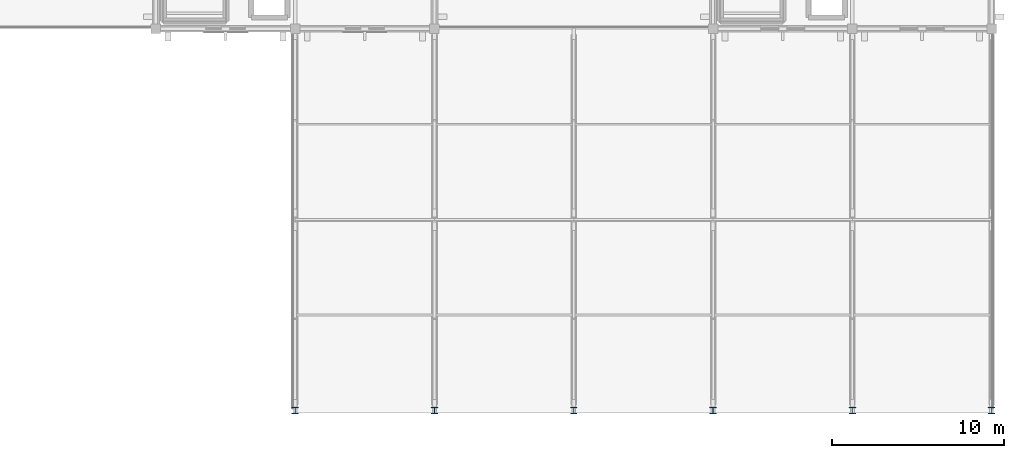
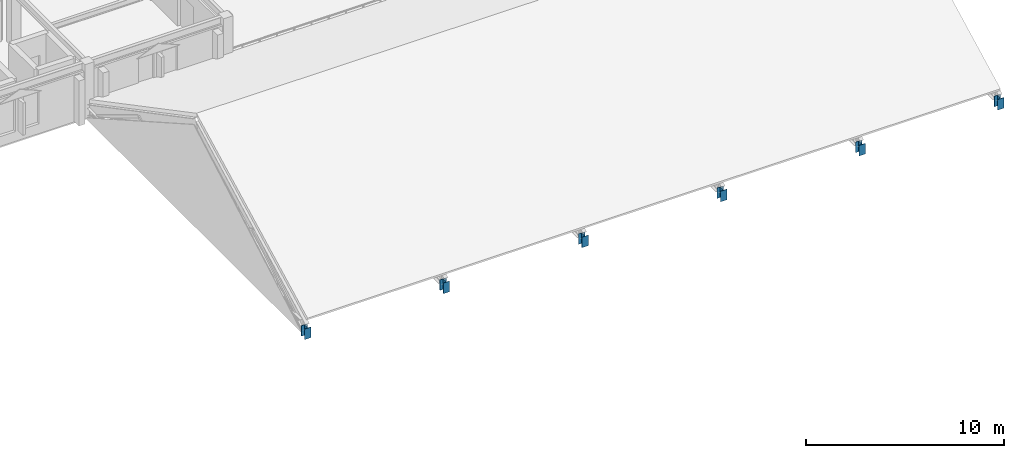
# One storey, part 8 of 121: 6 columns.
"""IFC4 building model written with IfcOpenShell, lengths in metres."""

import ifcopenshell
import ifcopenshell.guid

model = None  # the IFC model being written
_history = None  # IfcOwnerHistory: only IFC2X3 demands one
_inside = {}  # id of a spatial element -> (the spatial element, [elements in it])
_under = {}  # id of a project, library or spatial element -> (it, [spatial elements below it])
_declared = {}  # id of a project -> (the project, [libraries it declares])
_typed = {}  # id of a type object -> (the type object, [elements of that type])
_made_of = {}  # id of a material, layer set ... -> (it, [elements and type objects made of it])


def new_model(schema):
    """Start an empty IFC model of exactly this schema.

    Asked for "IFC4X3", IfcOpenShell would pick the latest addendum, in which some entities
    have other attributes; the version numbers below select the first issue.
    IFC2X3 requires an IfcOwnerHistory on every rooted entity: one is made here for all.
    """
    global model, _history
    if schema == "IFC4X3":
        model = ifcopenshell.file(schema_version=(4, 3, 0, 0))
    else:
        model = ifcopenshell.file(schema=schema)
    _inside.clear()
    _under.clear()
    _declared.clear()
    _typed.clear()
    _made_of.clear()
    _history = None
    if model.schema == "IFC2X3":
        org = make("IfcOrganization", Name="unknown")
        user = make(
            "IfcPersonAndOrganization",
            ThePerson=make("IfcPerson", FamilyName="unknown"),
            TheOrganization=org,
        )
        app = make(
            "IfcApplication",
            ApplicationDeveloper=org,
            Version="unknown",
            ApplicationFullName="unknown",
            ApplicationIdentifier="unknown",
        )
        _history = make(
            "IfcOwnerHistory",
            OwningUser=user,
            OwningApplication=app,
            ChangeAction="ADDED",
            CreationDate=0,
        )
    return model


def make(cls, **values):
    """One entity of the class cls with the attributes given. An attribute that is None is left unset."""
    return model.create_entity(
        cls, **{name: value for name, value in values.items() if value is not None}
    )


def rooted(cls, **values):
    """An entity with a GlobalId (a new one), such as an element, a storey or a relation."""
    return make(cls, GlobalId=ifcopenshell.guid.new(), OwnerHistory=_history, **values)


def si_unit(unit_type, name, prefix=None):
    """IfcSIUnit, for example si_unit("LENGTHUNIT", "METRE", prefix="MILLI")."""
    return make("IfcSIUnit", UnitType=unit_type, Prefix=prefix, Name=name)


def assignment(units):
    """IfcUnitAssignment: the units of a project."""
    return None if units is None else make("IfcUnitAssignment", Units=units)


def point(xyz):
    """IfcCartesianPoint."""
    return None if xyz is None else make("IfcCartesianPoint", Coordinates=xyz)


def direction(xyz):
    """IfcDirection."""
    return None if xyz is None else make("IfcDirection", DirectionRatios=xyz)


def frame(location, z_axis=None, x_axis=None):
    """IfcAxis2Placement3D, a coordinate frame: its origin and axes. An axis left out is left unset."""
    return make(
        "IfcAxis2Placement3D",
        Location=point(location),
        Axis=direction(z_axis),
        RefDirection=direction(x_axis),
    )


def frame_2d(location, x_axis=None):
    """IfcAxis2Placement2D, a coordinate frame in the plane: its origin and x axis."""
    return make(
        "IfcAxis2Placement2D", Location=point(location), RefDirection=direction(x_axis)
    )


def origin():
    """The frame at (0, 0, 0) with its axes left unset."""
    return frame((0.0, 0.0, 0.0))


def origin_2d():
    """The frame at (0, 0) in the plane with its x axis left unset."""
    return frame_2d((0.0, 0.0))


def place(relative_to, where):
    """IfcLocalPlacement: puts the frame where relative to a parent placement (None: the world)."""
    return make(
        "IfcLocalPlacement", PlacementRelTo=relative_to, RelativePlacement=where
    )


def context(
    kind, dimensions, precision=None, world=None, true_north=None, identifier=None
):
    """IfcGeometricRepresentationContext, for example the 3D "Model" context."""
    return make(
        "IfcGeometricRepresentationContext",
        ContextIdentifier=identifier,
        ContextType=kind,
        CoordinateSpaceDimension=dimensions,
        Precision=precision,
        WorldCoordinateSystem=world,
        TrueNorth=true_north,
    )


def subcontext(parent, identifier, kind, view, scale=None):
    """IfcGeometricRepresentationSubContext, for example "Body" below "Model"."""
    return make(
        "IfcGeometricRepresentationSubContext",
        ContextIdentifier=identifier,
        ContextType=kind,
        ParentContext=parent,
        TargetScale=scale,
        TargetView=view,
    )


def project(units=None, contexts=None):
    """IfcProject with its units and contexts."""
    return rooted(
        "IfcProject",
        Name="project",
        RepresentationContexts=contexts,
        UnitsInContext=assignment(units),
    )


def spatial(cls, under=None, at=None, **own):
    """A site, building, storey or space (cls), placed at a placement, below another one or the project."""
    s = rooted(cls, ObjectPlacement=at, **own)
    if under is not None:
        _under.setdefault(under.id(), (under, []))[1].append(s)
    return s


def profile(cls, at=None, kind="AREA", **sizes):
    """A parametric profile (cls). Its sizes go by their IFC names, for example OverallWidth=200.0."""
    return make(cls, ProfileType=kind, Position=at, **sizes)


def i_section(**sizes):
    """IfcIShapeProfileDef."""
    return profile("IfcIShapeProfileDef", **sizes)


def extrude(swept, where, along, depth):
    """IfcExtrudedAreaSolid: the profile swept, set in the frame where, extruded along a direction by depth."""
    return make(
        "IfcExtrudedAreaSolid",
        SweptArea=swept,
        Position=where,
        ExtrudedDirection=direction(along),
        Depth=depth,
    )


def shape(context_of_items, identifier, shape_type, items):
    """IfcShapeRepresentation: the items that make up one representation, for example the "Body"."""
    return make(
        "IfcShapeRepresentation",
        ContextOfItems=context_of_items,
        RepresentationIdentifier=identifier,
        RepresentationType=shape_type,
        Items=items,
    )


def material(Name=None, Category=None):
    """IfcMaterial."""
    return make("IfcMaterial", Name=Name, Category=Category)


def material_profile(
    of_material, cross_section, Name=None, Category=None, Priority=None
):
    """IfcMaterialProfile: a cross section and its material."""
    return make(
        "IfcMaterialProfile",
        Name=Name,
        Material=of_material,
        Profile=cross_section,
        Priority=Priority,
        Category=Category,
    )


def profile_set(profiles, Name=None, composite=None):
    """IfcMaterialProfileSet."""
    return make(
        "IfcMaterialProfileSet",
        Name=Name,
        MaterialProfiles=profiles,
        CompositeProfile=composite,
    )


def made_of(thing, what):
    """Note that an element or type object is made of a material, layer set ...; save() writes the relation."""
    if what is not None:
        _made_of.setdefault(what.id(), (what, []))[1].append(thing)
    return thing


def type_object(cls, material=None, **own):
    """A type object (cls), such as IfcWallType, which elements share."""
    return made_of(rooted(cls, **own), material)


def element(
    cls,
    number,
    at=None,
    inside=None,
    cuts=None,
    type_object=None,
    material=None,
    context=None,
    identifier="Body",
    shape_type=None,
    held_by="IfcProductDefinitionShape",
    body=None,
    shapes=None,
    **own,
):
    """One element of the class cls, such as IfcWall. Its Tag is "e" and its number.

    at: its placement. inside: the storey or other place that contains it. cuts: it is an
    opening in that element (IfcRelVoidsElement). A single representation is given by context,
    identifier, shape_type and body (its items); several are given by shapes. held_by: the class
    of the entity that holds the representations. save() writes the other relations.
    """
    e = rooted(cls, Tag="e%d" % number, ObjectPlacement=at, **own)
    if body is not None:
        shapes = [shape(context, identifier, shape_type, body)]
    if shapes is not None:
        e.Representation = make(held_by, Representations=shapes)
    if inside is not None:
        _inside.setdefault(inside.id(), (inside, []))[1].append(e)
    if cuts is not None:
        rooted(
            "IfcRelVoidsElement", RelatingBuildingElement=cuts, RelatedOpeningElement=e
        )
    if type_object is not None:
        _typed.setdefault(type_object.id(), (type_object, []))[1].append(e)
    return made_of(e, material)


def aggregate(whole, parts):
    """IfcRelAggregates: a whole, such as a stair, and the parts it consists of."""
    return rooted("IfcRelAggregates", RelatingObject=whole, RelatedObjects=parts)


def save(model, path):
    """Write the relations noted so far, then the file.

    IfcRelAggregates (storeys below a building ...), IfcRelContainedInSpatialStructure (elements
    in a storey), IfcRelDefinesByType, IfcRelAssociatesMaterial and IfcRelDeclares: one each for
    every whole, place, type object, material and project.
    """
    for whole, parts in _under.values():
        aggregate(whole, parts)
    for where, things in _inside.values():
        rooted(
            "IfcRelContainedInSpatialStructure",
            RelatedElements=things,
            RelatingStructure=where,
        )
    for kind, things in _typed.values():
        rooted("IfcRelDefinesByType", RelatedObjects=things, RelatingType=kind)
    for what, things in _made_of.values():
        rooted("IfcRelAssociatesMaterial", RelatedObjects=things, RelatingMaterial=what)
    for by, libraries in _declared.values():
        rooted("IfcRelDeclares", RelatingContext=by, RelatedDefinitions=libraries)
    model.write(path)


model = new_model("IFC4")

# Units and contexts
model_context = context("Model", 3, precision=1e-05, world=origin(), true_north=direction((0.0, 1.0)))
body_context = subcontext(model_context, "Body", "Model", "MODEL_VIEW")
ifc_project = project(units=[si_unit("LENGTHUNIT", "METRE"), si_unit("AREAUNIT", "SQUARE_METRE"), si_unit("VOLUMEUNIT", "CUBIC_METRE"), si_unit("PLANEANGLEUNIT", "RADIAN"), si_unit("MASSUNIT", "GRAM", prefix="KILO")], contexts=[model_context])

# Site, building, storey
site_placement = place(None, origin())
site = spatial("IfcSite", under=ifc_project, at=site_placement, CompositionType="ELEMENT")
building_placement = place(site_placement, origin())
building = spatial("IfcBuilding", under=site, at=building_placement, Name="Cimatlan Art Gallery", CompositionType="ELEMENT")
storey_placement = place(building_placement, frame((0.0, 0.0, 10.199951171875)))
storey = spatial("IfcBuildingStorey", under=building, at=storey_placement, Name="L02", CompositionType="ELEMENT", Elevation=10.199951171875)

# Columns
ifc_material = material(Name="Steel ASTM A992 Grade 50", Category="steel")
ifc_material_profile = material_profile(ifc_material, i_section(OverallWidth=0.37109375, OverallDepth=0.364013671875, WebThickness=0.01318359375, FlangeThickness=0.021728515625, at=origin_2d()), Name="W14X109")
ifc_profile_set = profile_set([ifc_material_profile], Name="Steel ASTM A992 Grade 50")
column_type = type_object("IfcColumnType", Name="COL-STL-W14X109", PredefinedType="COLUMN", material=ifc_profile_set)
for number, where, z_axis, x_axis, name in (
    (1, (123.5, 1.699951171875, -0.239990234375), (0.0, 0.0, 1.0), (1.0, 0.0, 0.0), "COL-AUD-SPR-01-S"),
    (2, (131.60009765625, 1.699951171875, -0.239990234375), (0.0, 0.0, 1.0), (1.0, 0.0, 0.0), "COL-AUD-SPR-02-S"),
    (3, (139.699951171875, 1.699951171875, -0.239990234375), (0.0, 0.0, 1.0), (1.0, 0.0, 0.0), "COL-AUD-SPR-03-S"),
    (4, (147.800048828125, 1.699951171875, -0.239990234375), (0.0, 0.0, 1.0), (1.0, 0.0, 0.0), "COL-AUD-SPR-04-S"),
    (5, (155.89990234375, 1.699951171875, -0.239990234375), (0.0, 0.0, 1.0), (1.0, 0.0, 0.0), "COL-AUD-SPR-05-S"),
    (6, (164.0, 1.699951171875, -0.239990234375), (0.0, 0.0, 1.0), (1.0, 0.0, 0.0), "COL-AUD-SPR-06-S"),
):
    element("IfcColumn", number, at=place(storey_placement, frame(where, z_axis=z_axis, x_axis=x_axis)), inside=storey, type_object=column_type, Name=name, PredefinedType="COLUMN", context=body_context, shape_type="SweptSolid", body=[
        extrude(i_section(OverallWidth=0.37109375, OverallDepth=0.364013671875, WebThickness=0.01318359375, FlangeThickness=0.021728515625, at=origin_2d()), origin(), (0.0, 0.0, 1.0), 0.650146484375),
    ])

save(model, "model.ifc")
